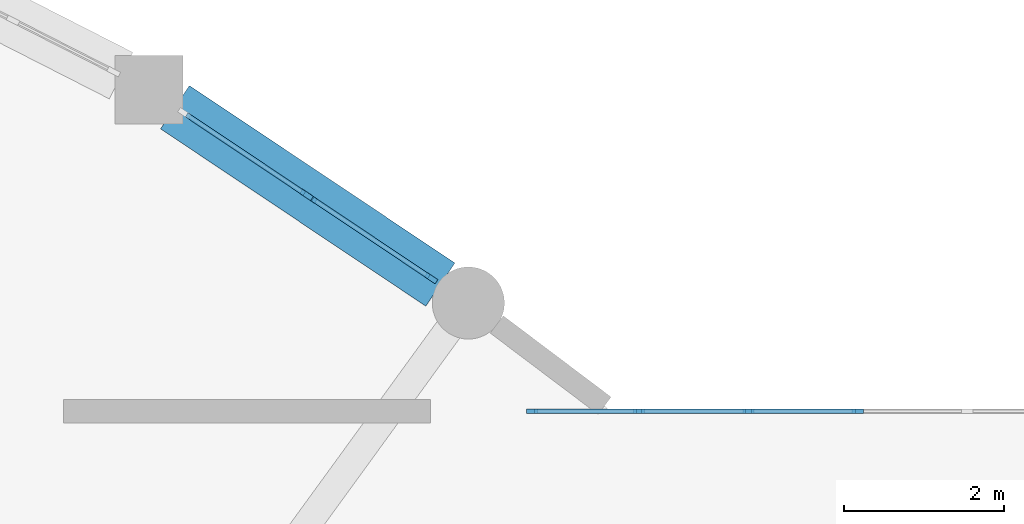
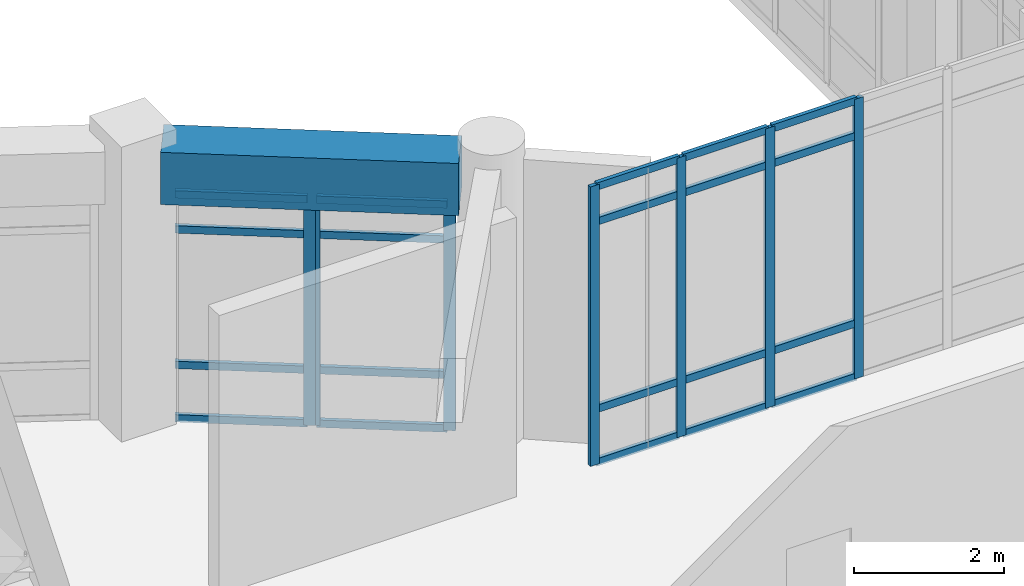
# One storey, part 18 of 68: 27 members, 1 beam, 3 elements without a shape of their own.
"""IFC4 building model written with IfcOpenShell, lengths in metres."""

from ifc_helpers import new_model, si_unit, direction, frame, origin, origin_2d, place, context, subcontext, project, spatial, rectangle, extrude, material, layer, layer_set, material_profile, profile_set, type_object, element, aggregate, save


model = new_model("IFC4")

# Units and contexts
model_context = context("Model", 3, precision=1e-05, world=origin(), true_north=direction((0.0, 1.0)))
body_context = subcontext(model_context, "Body", "Model", "MODEL_VIEW")
ifc_project = project(units=[si_unit("LENGTHUNIT", "METRE"), si_unit("AREAUNIT", "SQUARE_METRE"), si_unit("VOLUMEUNIT", "CUBIC_METRE"), si_unit("PLANEANGLEUNIT", "RADIAN"), si_unit("MASSUNIT", "GRAM", prefix="KILO")], contexts=[model_context])

# Site, building, storey
site_placement = place(None, origin())
site = spatial("IfcSite", under=ifc_project, at=site_placement, CompositionType="ELEMENT")
building_placement = place(site_placement, origin())
building = spatial("IfcBuilding", under=site, at=building_placement, Name="Miralva Faculty of Natural Sciences", CompositionType="ELEMENT")
storey_placement = place(building_placement, frame((0.0, 0.0, 5.39990234375)))
storey = spatial("IfcBuildingStorey", under=building, at=storey_placement, Name="L01", CompositionType="ELEMENT", Elevation=5.39990234375)

# Beam
ifc_material_1 = material(Name="Concrete C40/50", Category="concrete")
ifc_material_profile_1 = material_profile(ifc_material_1, rectangle(XDim=0.64990234375, YDim=0.85009765625, at=origin_2d()), Name="RC 650x850")
ifc_profile_set_1 = profile_set([ifc_material_profile_1], Name="Concrete C40/50")
beam_type = type_object("IfcBeamType", Name="BM-SP03", PredefinedType="SPANDREL", material=ifc_profile_set_1)
beam_placement = place(storey_placement, frame((125.505859375, 28.580078125, 4.135009765625), z_axis=(-0.831417795146, 0.555647775047, 0.0), x_axis=(-0.555647775047, -0.831417795146, 0.0)))
element("IfcBeam", 1, at=beam_placement, inside=storey, type_object=beam_type, Name="Curved chord girder SHOUT L01-1", PredefinedType="SPANDREL", context=body_context, shape_type="SweptSolid", body=[
    extrude(rectangle(XDim=0.64990234375, YDim=0.85009765625, at=origin_2d()), origin(), (0.0, 0.0, 1.0), 3.982177734375),
])

# Curtain wall, member
ifc_material_2 = material(Name="Laminated solar-control glass", Category="glass")
ifc_layer_1 = layer(ifc_material_2, 0.179931640625, Name="CW-ARC-L01")
ifc_layer_set_1 = layer_set([ifc_layer_1], Name="Laminated solar-control glass")
curtain_wall_type_1 = type_object("IfcCurtainWallType", Name="CW-ARC-L01", PredefinedType="USERDEFINED", material=ifc_layer_set_1)
curtain_wall_1_placement = place(storey_placement, origin())
curtain_wall_1 = element("IfcCurtainWall", 2, at=curtain_wall_1_placement, inside=storey, type_object=curtain_wall_type_1, Name="Curtain wall CW-02 L01-45", ObjectType="UNITISED CURTAIN WALL", PredefinedType="USERDEFINED")
ifc_material_3 = material(Name="Anodised aluminium", Category="aluminium")
ifc_material_profile_2 = material_profile(ifc_material_3, rectangle(XDim=0.06494140625, YDim=0.159912109375, at=origin_2d()), Name="MULLION 65x160")
ifc_profile_set_2 = profile_set([ifc_material_profile_2], Name="Anodised aluminium")
member_type_1 = type_object("IfcMemberType", Name="CW-M02", PredefinedType="MULLION", material=ifc_profile_set_2)
member_1_placement = place(storey_placement, frame((123.836669921875, 29.698486328125, 0.0), z_axis=(0.0, 0.0, 1.0), x_axis=(0.555562302309, 0.831474911379, 0.0)))
member_1 = element("IfcMember", 3, at=member_1_placement, type_object=member_type_1, Name="CW-02 mullion 2", PredefinedType="MULLION", context=body_context, shape_type="SweptSolid", body=[
    extrude(rectangle(XDim=0.06494140625, YDim=0.159912109375, at=origin_2d()), origin(), (0.0, 0.0, 1.0), 3.705078125),
])

# Curtain wall, members
curtain_wall_2_placement = place(storey_placement, origin())
curtain_wall_2 = element("IfcCurtainWall", 4, at=curtain_wall_2_placement, inside=storey, type_object=curtain_wall_type_1, Name="Curtain wall CW-02 L01-46", ObjectType="UNITISED CURTAIN WALL", PredefinedType="USERDEFINED")
member_2_placement = place(storey_placement, frame((123.886474609375, 29.665283203125, 0.0), z_axis=(0.0, 0.0, 1.0), x_axis=(0.555561501654, 0.831475446348, 0.0)))
member_2 = element("IfcMember", 5, at=member_2_placement, type_object=member_type_1, Name="CW-02 mullion 1", PredefinedType="MULLION", context=body_context, shape_type="SweptSolid", body=[
    extrude(rectangle(XDim=0.06494140625, YDim=0.159912109375, at=origin_2d()), origin(), (0.0, 0.0, 1.0), 3.705078125),
])
member_3_placement = place(storey_placement, frame((125.391357421875, 28.65966796875, 0.0), z_axis=(0.0, 0.0, 1.0), x_axis=(0.555561501654, 0.831475446348, 0.0)))
member_3 = element("IfcMember", 6, at=member_3_placement, type_object=member_type_1, Name="CW-02 mullion 2", PredefinedType="MULLION", context=body_context, shape_type="SweptSolid", body=[
    extrude(rectangle(XDim=0.06494140625, YDim=0.159912109375, at=origin_2d()), origin(), (0.0, 0.0, 1.0), 3.705078125),
])

ifc_layer_2 = layer(ifc_material_2, 0.179931640625, Name="CW-COM-L01")
ifc_layer_set_2 = layer_set([ifc_layer_2], Name="Laminated solar-control glass")
curtain_wall_type_2 = type_object("IfcCurtainWallType", Name="CW-COM-L01", PredefinedType="USERDEFINED", material=ifc_layer_set_2)
curtain_wall_3_placement = place(storey_placement, origin())
curtain_wall_3 = element("IfcCurtainWall", 7, at=curtain_wall_3_placement, inside=storey, type_object=curtain_wall_type_2, Name="Curtain wall CW-10 L01-293", ObjectType="UNITISED CURTAIN WALL", PredefinedType="USERDEFINED")
ifc_material_profile_3 = material_profile(ifc_material_3, rectangle(XDim=0.06005859375, YDim=0.139892578125, at=origin_2d()), Name="MULLION 60x140")
ifc_profile_set_3 = profile_set([ifc_material_profile_3], Name="Anodised aluminium")
member_type_2 = type_object("IfcMemberType", Name="CW-M03", PredefinedType="MULLION", material=ifc_profile_set_3)
member_4_placement = place(storey_placement, frame((126.64990234375, 27.0, 0.0), z_axis=(0.0, 0.0, 1.0), x_axis=(0.0, 1.0, 0.0)))
member_4 = element("IfcMember", 8, at=member_4_placement, type_object=member_type_2, Name="CW-10 mullion 1", PredefinedType="MULLION", context=body_context, shape_type="SweptSolid", body=[
    extrude(rectangle(XDim=0.06005859375, YDim=0.139892578125, at=origin_2d()), origin(), (0.0, 0.0, 1.0), 4.550048828125),
])
member_5_placement = place(storey_placement, frame((127.985107421875, 27.0, 0.0), z_axis=(0.0, 0.0, 1.0), x_axis=(0.0, 1.0, 0.0)))
member_5 = element("IfcMember", 9, at=member_5_placement, type_object=member_type_2, Name="CW-10 mullion 2", PredefinedType="MULLION", context=body_context, shape_type="SweptSolid", body=[
    extrude(rectangle(XDim=0.06005859375, YDim=0.139892578125, at=origin_2d()), origin(), (0.0, 0.0, 1.0), 4.550048828125),
])
member_6_placement = place(storey_placement, frame((129.35009765625, 27.0, 0.0), z_axis=(0.0, 0.0, 1.0), x_axis=(0.0, 1.0, 0.0)))
member_6 = element("IfcMember", 10, at=member_6_placement, type_object=member_type_2, Name="CW-10 mullion 3", PredefinedType="MULLION", context=body_context, shape_type="SweptSolid", body=[
    extrude(rectangle(XDim=0.06005859375, YDim=0.139892578125, at=origin_2d()), origin(), (0.0, 0.0, 1.0), 4.550048828125),
])
member_7_placement = place(storey_placement, frame((130.715087890625, 27.0, 0.0), z_axis=(0.0, 0.0, 1.0), x_axis=(0.0, 1.0, 0.0)))
member_7 = element("IfcMember", 11, at=member_7_placement, type_object=member_type_2, Name="CW-10 mullion 4", PredefinedType="MULLION", context=body_context, shape_type="SweptSolid", body=[
    extrude(rectangle(XDim=0.06005859375, YDim=0.139892578125, at=origin_2d()), origin(), (0.0, 0.0, 1.0), 4.550048828125),
])

# Member
ifc_material_profile_4 = material_profile(ifc_material_3, rectangle(XDim=0.06005859375, YDim=0.1201171875, at=origin_2d()), Name="TRANSOM 60x120")
ifc_profile_set_4 = profile_set([ifc_material_profile_4], Name="Anodised aluminium")
member_type_3 = type_object("IfcMemberType", Name="CW-T02", PredefinedType="USERDEFINED", material=ifc_profile_set_4)
member_8_placement = place(storey_placement, frame((122.338134765625, 30.699951171875, 0.030029296875), z_axis=(0.831413062816, -0.555654855985, 0.0), x_axis=(0.555654855985, 0.831413062816, 0.0)))
member_8 = element("IfcMember", 12, at=member_8_placement, type_object=member_type_3, Name="CW-02 transom 1.1", ObjectType="TRANSOM", PredefinedType="USERDEFINED", context=body_context, shape_type="SweptSolid", body=[
    extrude(rectangle(XDim=0.06005859375, YDim=0.1201171875, at=origin_2d()), origin(), (0.0, 0.0, 1.0), 1.769775390625),
])

member_9_placement = place(storey_placement, frame((122.338134765625, 30.699951171875, 0.900146484375), z_axis=(0.831413062816, -0.555654855985, 0.0), x_axis=(0.555654855985, 0.831413062816, 0.0)))
member_9 = element("IfcMember", 13, at=member_9_placement, type_object=member_type_3, Name="CW-02 transom 1.2", ObjectType="TRANSOM", PredefinedType="USERDEFINED", context=body_context, shape_type="SweptSolid", body=[
    extrude(rectangle(XDim=0.06005859375, YDim=0.1201171875, at=origin_2d()), origin(), (0.0, 0.0, 1.0), 1.769775390625),
])

member_10_placement = place(storey_placement, frame((122.338134765625, 30.699951171875, 3.10498046875), z_axis=(0.831413062816, -0.555654855985, 0.0), x_axis=(0.555654855985, 0.831413062816, 0.0)))
member_10 = element("IfcMember", 14, at=member_10_placement, type_object=member_type_3, Name="CW-02 transom 1.3", ObjectType="TRANSOM", PredefinedType="USERDEFINED", context=body_context, shape_type="SweptSolid", body=[
    extrude(rectangle(XDim=0.06005859375, YDim=0.1201171875, at=origin_2d()), origin(), (0.0, 0.0, 1.0), 1.769775390625),
])

member_11_placement = place(storey_placement, frame((122.338134765625, 30.699951171875, 3.675048828125), z_axis=(0.831413062816, -0.555654855985, 0.0), x_axis=(0.555654855985, 0.831413062816, 0.0)))
member_11 = element("IfcMember", 15, at=member_11_placement, type_object=member_type_3, Name="CW-02 transom 1.4", ObjectType="TRANSOM", PredefinedType="USERDEFINED", context=body_context, shape_type="SweptSolid", body=[
    extrude(rectangle(XDim=0.06005859375, YDim=0.1201171875, at=origin_2d()), origin(), (0.0, 0.0, 1.0), 1.769775390625),
])

aggregate(curtain_wall_1, [member_1, member_8, member_9, member_10, member_11])

member_12_placement = place(storey_placement, frame((123.91357421875, 29.647216796875, 0.030029296875), z_axis=(0.831425493288, -0.555636256117, 0.0), x_axis=(0.555636256117, 0.831425493288, 0.0)))
member_12 = element("IfcMember", 16, at=member_12_placement, type_object=member_type_3, Name="CW-02 transom 1.1", ObjectType="TRANSOM", PredefinedType="USERDEFINED", context=body_context, shape_type="SweptSolid", body=[
    extrude(rectangle(XDim=0.06005859375, YDim=0.1201171875, at=origin_2d()), origin(), (0.0, 0.0, 1.0), 1.744873046875),
])

member_13_placement = place(storey_placement, frame((123.91357421875, 29.647216796875, 0.900146484375), z_axis=(0.831425493288, -0.555636256117, 0.0), x_axis=(0.555636256117, 0.831425493288, 0.0)))
member_13 = element("IfcMember", 17, at=member_13_placement, type_object=member_type_3, Name="CW-02 transom 1.2", ObjectType="TRANSOM", PredefinedType="USERDEFINED", context=body_context, shape_type="SweptSolid", body=[
    extrude(rectangle(XDim=0.06005859375, YDim=0.1201171875, at=origin_2d()), origin(), (0.0, 0.0, 1.0), 1.744873046875),
])

member_14_placement = place(storey_placement, frame((123.91357421875, 29.647216796875, 3.10498046875), z_axis=(0.831425493288, -0.555636256117, 0.0), x_axis=(0.555636256117, 0.831425493288, 0.0)))
member_14 = element("IfcMember", 18, at=member_14_placement, type_object=member_type_3, Name="CW-02 transom 1.3", ObjectType="TRANSOM", PredefinedType="USERDEFINED", context=body_context, shape_type="SweptSolid", body=[
    extrude(rectangle(XDim=0.06005859375, YDim=0.1201171875, at=origin_2d()), origin(), (0.0, 0.0, 1.0), 1.744873046875),
])

member_15_placement = place(storey_placement, frame((123.91357421875, 29.647216796875, 3.675048828125), z_axis=(0.831425493288, -0.555636256117, 0.0), x_axis=(0.555636256117, 0.831425493288, 0.0)))
member_15 = element("IfcMember", 19, at=member_15_placement, type_object=member_type_3, Name="CW-02 transom 1.4", ObjectType="TRANSOM", PredefinedType="USERDEFINED", context=body_context, shape_type="SweptSolid", body=[
    extrude(rectangle(XDim=0.06005859375, YDim=0.1201171875, at=origin_2d()), origin(), (0.0, 0.0, 1.0), 1.744873046875),
])

aggregate(curtain_wall_2, [member_2, member_3, member_12, member_13, member_14, member_15])

member_16_placement = place(storey_placement, frame((126.679931640625, 27.0, 0.030029296875), z_axis=(1.0, 0.0, 0.0), x_axis=(0.0, 1.0, 0.0)))
member_16 = element("IfcMember", 20, at=member_16_placement, type_object=member_type_3, Name="CW-10 transom 1.1", ObjectType="TRANSOM", PredefinedType="USERDEFINED", context=body_context, shape_type="SweptSolid", body=[
    extrude(rectangle(XDim=0.06005859375, YDim=0.1201171875, at=origin_2d()), origin(), (0.0, 0.0, 1.0), 1.275146484375),
])

member_17_placement = place(storey_placement, frame((126.679931640625, 27.0, 0.900146484375), z_axis=(1.0, 0.0, 0.0), x_axis=(0.0, 1.0, 0.0)))
member_17 = element("IfcMember", 21, at=member_17_placement, type_object=member_type_3, Name="CW-10 transom 1.2", ObjectType="TRANSOM", PredefinedType="USERDEFINED", context=body_context, shape_type="SweptSolid", body=[
    extrude(rectangle(XDim=0.06005859375, YDim=0.1201171875, at=origin_2d()), origin(), (0.0, 0.0, 1.0), 1.275146484375),
])

member_18_placement = place(storey_placement, frame((126.679931640625, 27.0, 3.9501953125), z_axis=(1.0, 0.0, 0.0), x_axis=(0.0, 1.0, 0.0)))
member_18 = element("IfcMember", 22, at=member_18_placement, type_object=member_type_3, Name="CW-10 transom 1.3", ObjectType="TRANSOM", PredefinedType="USERDEFINED", context=body_context, shape_type="SweptSolid", body=[
    extrude(rectangle(XDim=0.06005859375, YDim=0.1201171875, at=origin_2d()), origin(), (0.0, 0.0, 1.0), 1.275146484375),
])

member_19_placement = place(storey_placement, frame((126.679931640625, 27.0, 4.52001953125), z_axis=(1.0, 0.0, 0.0), x_axis=(0.0, 1.0, 0.0)))
member_19 = element("IfcMember", 23, at=member_19_placement, type_object=member_type_3, Name="CW-10 transom 1.4", ObjectType="TRANSOM", PredefinedType="USERDEFINED", context=body_context, shape_type="SweptSolid", body=[
    extrude(rectangle(XDim=0.06005859375, YDim=0.1201171875, at=origin_2d()), origin(), (0.0, 0.0, 1.0), 1.275146484375),
])

member_20_placement = place(storey_placement, frame((128.014892578125, 27.0, 0.030029296875), z_axis=(1.0, 0.0, 0.0), x_axis=(0.0, 1.0, 0.0)))
member_20 = element("IfcMember", 24, at=member_20_placement, type_object=member_type_3, Name="CW-10 transom 2.1", ObjectType="TRANSOM", PredefinedType="USERDEFINED", context=body_context, shape_type="SweptSolid", body=[
    extrude(rectangle(XDim=0.06005859375, YDim=0.1201171875, at=origin_2d()), origin(), (0.0, 0.0, 1.0), 1.30517578125),
])

member_21_placement = place(storey_placement, frame((128.014892578125, 27.0, 0.900146484375), z_axis=(1.0, 0.0, 0.0), x_axis=(0.0, 1.0, 0.0)))
member_21 = element("IfcMember", 25, at=member_21_placement, type_object=member_type_3, Name="CW-10 transom 2.2", ObjectType="TRANSOM", PredefinedType="USERDEFINED", context=body_context, shape_type="SweptSolid", body=[
    extrude(rectangle(XDim=0.06005859375, YDim=0.1201171875, at=origin_2d()), origin(), (0.0, 0.0, 1.0), 1.30517578125),
])

member_22_placement = place(storey_placement, frame((128.014892578125, 27.0, 3.9501953125), z_axis=(1.0, 0.0, 0.0), x_axis=(0.0, 1.0, 0.0)))
member_22 = element("IfcMember", 26, at=member_22_placement, type_object=member_type_3, Name="CW-10 transom 2.3", ObjectType="TRANSOM", PredefinedType="USERDEFINED", context=body_context, shape_type="SweptSolid", body=[
    extrude(rectangle(XDim=0.06005859375, YDim=0.1201171875, at=origin_2d()), origin(), (0.0, 0.0, 1.0), 1.30517578125),
])

member_23_placement = place(storey_placement, frame((128.014892578125, 27.0, 4.52001953125), z_axis=(1.0, 0.0, 0.0), x_axis=(0.0, 1.0, 0.0)))
member_23 = element("IfcMember", 27, at=member_23_placement, type_object=member_type_3, Name="CW-10 transom 2.4", ObjectType="TRANSOM", PredefinedType="USERDEFINED", context=body_context, shape_type="SweptSolid", body=[
    extrude(rectangle(XDim=0.06005859375, YDim=0.1201171875, at=origin_2d()), origin(), (0.0, 0.0, 1.0), 1.30517578125),
])

member_24_placement = place(storey_placement, frame((129.3798828125, 27.0, 0.030029296875), z_axis=(1.0, 0.0, 0.0), x_axis=(0.0, 1.0, 0.0)))
member_24 = element("IfcMember", 28, at=member_24_placement, type_object=member_type_3, Name="CW-10 transom 3.1", ObjectType="TRANSOM", PredefinedType="USERDEFINED", context=body_context, shape_type="SweptSolid", body=[
    extrude(rectangle(XDim=0.06005859375, YDim=0.1201171875, at=origin_2d()), origin(), (0.0, 0.0, 1.0), 1.30517578125),
])

member_25_placement = place(storey_placement, frame((129.3798828125, 27.0, 0.900146484375), z_axis=(1.0, 0.0, 0.0), x_axis=(0.0, 1.0, 0.0)))
member_25 = element("IfcMember", 29, at=member_25_placement, type_object=member_type_3, Name="CW-10 transom 3.2", ObjectType="TRANSOM", PredefinedType="USERDEFINED", context=body_context, shape_type="SweptSolid", body=[
    extrude(rectangle(XDim=0.06005859375, YDim=0.1201171875, at=origin_2d()), origin(), (0.0, 0.0, 1.0), 1.30517578125),
])

member_26_placement = place(storey_placement, frame((129.3798828125, 27.0, 3.9501953125), z_axis=(1.0, 0.0, 0.0), x_axis=(0.0, 1.0, 0.0)))
member_26 = element("IfcMember", 30, at=member_26_placement, type_object=member_type_3, Name="CW-10 transom 3.3", ObjectType="TRANSOM", PredefinedType="USERDEFINED", context=body_context, shape_type="SweptSolid", body=[
    extrude(rectangle(XDim=0.06005859375, YDim=0.1201171875, at=origin_2d()), origin(), (0.0, 0.0, 1.0), 1.30517578125),
])

member_27_placement = place(storey_placement, frame((129.3798828125, 27.0, 4.52001953125), z_axis=(1.0, 0.0, 0.0), x_axis=(0.0, 1.0, 0.0)))
member_27 = element("IfcMember", 31, at=member_27_placement, type_object=member_type_3, Name="CW-10 transom 3.4", ObjectType="TRANSOM", PredefinedType="USERDEFINED", context=body_context, shape_type="SweptSolid", body=[
    extrude(rectangle(XDim=0.06005859375, YDim=0.1201171875, at=origin_2d()), origin(), (0.0, 0.0, 1.0), 1.30517578125),
])

aggregate(curtain_wall_3, [member_4, member_5, member_6, member_7, member_16, member_17, member_18, member_19, member_20, member_21, member_22, member_23, member_24, member_25, member_26, member_27])

save(model, "model.ifc")
